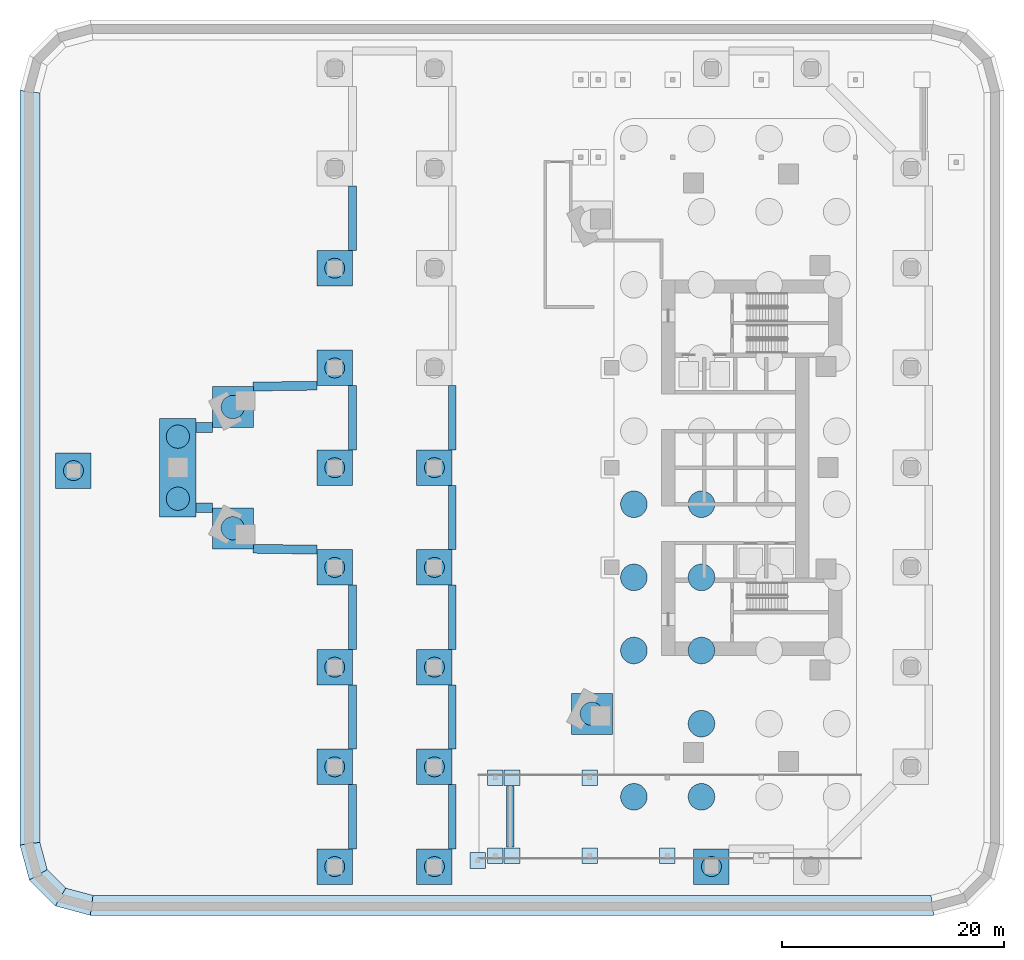
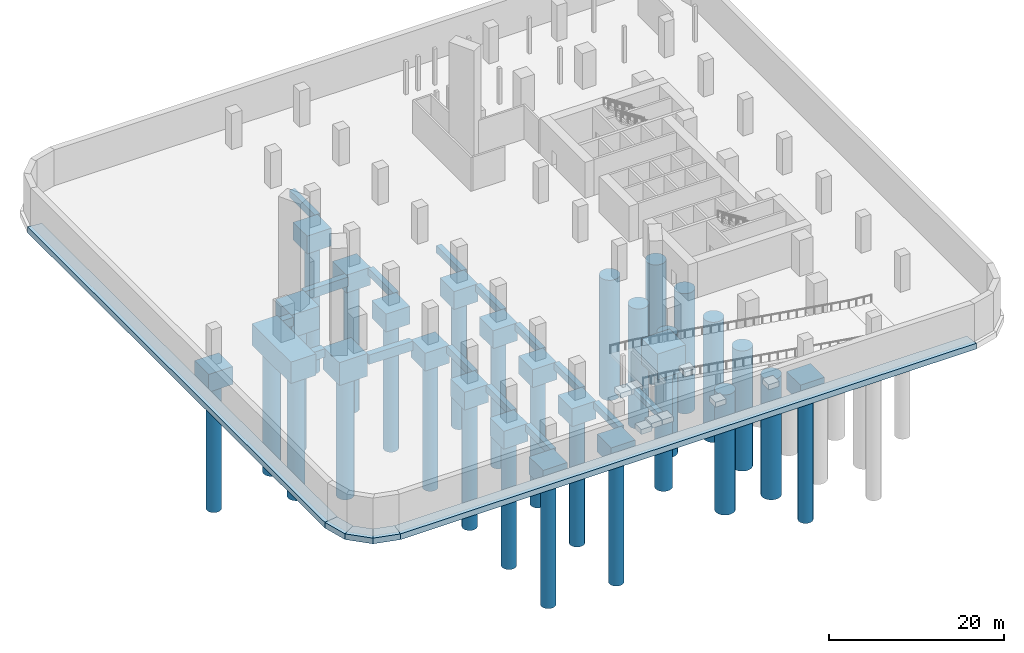
# One storey, part 1 of 11: 46 footings, 28 piles.
"""IFC4 building model written with IfcOpenShell, lengths in metres."""

from ifc_helpers import new_model, si_unit, direction, frame, origin, origin_2d, place, context, subcontext, project, spatial, polyline, circle, outline, extrude, material, layer, layer_set, type_object, element, save


model = new_model("IFC4")

# Units and contexts
model_context = context("Model", 3, precision=1e-05, world=origin(), true_north=direction((0.0, 1.0)))
body_context = subcontext(model_context, "Body", "Model", "MODEL_VIEW")
ifc_project = project(units=[si_unit("LENGTHUNIT", "METRE"), si_unit("AREAUNIT", "SQUARE_METRE"), si_unit("VOLUMEUNIT", "CUBIC_METRE"), si_unit("PLANEANGLEUNIT", "RADIAN"), si_unit("MASSUNIT", "GRAM", prefix="KILO")], contexts=[model_context])

# Site, building, storey
site_placement = place(None, origin())
site = spatial("IfcSite", under=ifc_project, at=site_placement, CompositionType="ELEMENT")
building_placement = place(site_placement, origin())
building = spatial("IfcBuilding", under=site, at=building_placement, Name="Ostrand Prow Hotel Tower", CompositionType="ELEMENT")
storey_placement = place(building_placement, frame((0.0, 0.0, -10.0)))
storey = spatial("IfcBuildingStorey", under=building, at=storey_placement, Name="B2", CompositionType="ELEMENT", Elevation=-10.0)

# Piles
ifc_material_1 = material(Name="Concrete C50/60", Category="concrete")
pile_type_1 = type_object("IfcPileType", Name="Bored caisson D1800", PredefinedType="BORED", material=ifc_material_1)
for number, where, z_axis, x_axis, name in (
    (1, (20.0, 0.0, -2.699951171875), (0.0, 0.0, -1.0), (1.0, 0.0, 0.0), "Caisson 005"),
    (2, (20.0, 18.0, -2.699951171875), (0.0, 0.0, -1.0), (1.0, 0.0, 0.0), "Caisson 006"),
    (3, (20.0, 9.0, -2.699951171875), (0.0, 0.0, -1.0), (1.0, 0.0, 0.0), "Caisson 009"),
    (4, (20.0, -18.0, -2.699951171875), (0.0, 0.0, -1.0), (1.0, 0.0, 0.0), "Caisson 010"),
    (5, (20.0, -27.0, -2.699951171875), (0.0, 0.0, -1.0), (1.0, 0.0, 0.0), "Caisson 011"),
    (6, (20.0, -36.0, -2.699951171875), (0.0, 0.0, -1.0), (1.0, 0.0, 0.0), "Caisson 012"),
    (7, (20.0, -9.0, -2.699951171875), (0.0, 0.0, -1.0), (1.0, 0.0, 0.0), "Caisson 013"),
    (8, (29.0, 0.0, -2.699951171875), (0.0, 0.0, -1.0), (1.0, 0.0, 0.0), "Caisson 014"),
    (9, (29.0, -18.0, -2.699951171875), (0.0, 0.0, -1.0), (1.0, 0.0, 0.0), "Caisson 019"),
    (10, (29.0, -27.0, -2.699951171875), (0.0, 0.0, -1.0), (1.0, 0.0, 0.0), "Caisson 020"),
    (11, (29.0, -36.0, -2.699951171875), (0.0, 0.0, -1.0), (1.0, 0.0, 0.0), "Caisson 021"),
    (12, (29.0, -9.0, -2.699951171875), (0.0, 0.0, -1.0), (1.0, 0.0, 0.0), "Caisson 022"),
    (13, (54.0, -36.0, -2.699951171875), (0.0, 0.0, -1.0), (1.0, 0.0, 0.0), "Caisson 024"),
    (14, (-3.573974609375, -0.262939453125, -2.699951171875), (0.0, 0.0, -1.0), (1.0, 0.0, 0.0), "Caisson 034"),
):
    element("IfcPile", number, at=place(storey_placement, frame(where, z_axis=z_axis, x_axis=x_axis)), inside=storey, type_object=pile_type_1, Name=name, PredefinedType="BORED", context=body_context, shape_type="SweptSolid", body=[
        extrude(circle(Radius=0.89990234375, at=origin_2d()), origin(), (0.0, 0.0, 1.0), 17.800048828125),
    ])
ifc_material_2 = material(Name="Concrete C50/60", Category="concrete")
pile_type_2 = type_object("IfcPileType", Name="Bored caisson D2100", PredefinedType="BORED", material=ifc_material_2)
pile_1_placement = place(storey_placement, frame((10.800048828125, 5.467041015625, -3.39990234375), z_axis=(0.0, 0.0, -1.0), x_axis=(1.0, 0.0, 0.0)))
element("IfcPile", 15, at=pile_1_placement, inside=storey, type_object=pile_type_2, Name="Caisson 002", PredefinedType="BORED", context=body_context, shape_type="SweptSolid", body=[
    extrude(circle(Radius=1.050048828125, at=origin_2d()), origin(), (0.0, 0.0, 1.0), 17.10009765625),
])
pile_2_placement = place(storey_placement, frame((43.199951171875, -22.208984375, -3.800048828125), z_axis=(0.0, 0.0, -1.0), x_axis=(1.0, 0.0, 0.0)))
element("IfcPile", 16, at=pile_2_placement, inside=storey, type_object=pile_type_2, Name="Caisson 003", PredefinedType="BORED", context=body_context, shape_type="SweptSolid", body=[
    extrude(circle(Radius=1.050048828125, at=origin_2d()), origin(), (0.0, 0.0, 1.0), 16.699951171875),
])
pile_3_placement = place(storey_placement, frame((10.800048828125, -5.467041015625, -3.39990234375), z_axis=(0.0, 0.0, -1.0), x_axis=(1.0, 0.0, 0.0)))
element("IfcPile", 17, at=pile_3_placement, inside=storey, type_object=pile_type_2, Name="Caisson 004", PredefinedType="BORED", context=body_context, shape_type="SweptSolid", body=[
    extrude(circle(Radius=1.050048828125, at=origin_2d()), origin(), (0.0, 0.0, 1.0), 17.10009765625),
])
for number, where, z_axis, x_axis, name in (
    (18, (5.847900390625, -2.800048828125, -3.199951171875), (0.0, 0.0, -1.0), (1.0, 0.0, 0.0), "Caisson 035"),
    (19, (5.847900390625, 2.800048828125, -3.199951171875), (0.0, 0.0, -1.0), (1.0, 0.0, 0.0), "Caisson 036"),
):
    element("IfcPile", number, at=place(storey_placement, frame(where, z_axis=z_axis, x_axis=x_axis)), inside=storey, type_object=pile_type_2, Name=name, PredefinedType="BORED", context=body_context, shape_type="SweptSolid", body=[
        extrude(circle(Radius=1.050048828125, at=origin_2d()), origin(), (0.0, 0.0, 1.0), 17.300048828125),
    ])
ifc_material_3 = material(Name="Concrete C50/60", Category="concrete")
pile_type_3 = type_object("IfcPileType", Name="Bored caisson D2400", PredefinedType="BORED", material=ifc_material_3)
for number, where, z_axis, x_axis, name in (
    (20, (47.0, -29.699951171875, -3.699951171875), (0.0, 0.0, -1.0), (1.0, 0.0, 0.0), "Caisson 037"),
    (21, (47.0, -16.5, -3.699951171875), (0.0, 0.0, -1.0), (1.0, 0.0, 0.0), "Caisson 038"),
    (22, (47.0, -9.89990234375, -3.699951171875), (0.0, 0.0, -1.0), (1.0, 0.0, 0.0), "Caisson 039"),
    (23, (47.0, -3.300048828125, -3.699951171875), (0.0, 0.0, -1.0), (1.0, 0.0, 0.0), "Caisson 040"),
    (24, (53.10009765625, -29.699951171875, -3.699951171875), (0.0, 0.0, -1.0), (1.0, 0.0, 0.0), "Caisson 045"),
    (25, (53.10009765625, -23.10009765625, -3.699951171875), (0.0, 0.0, -1.0), (1.0, 0.0, 0.0), "Caisson 046"),
    (26, (53.10009765625, -16.5, -3.699951171875), (0.0, 0.0, -1.0), (1.0, 0.0, 0.0), "Caisson 047"),
    (27, (53.10009765625, -9.89990234375, -3.699951171875), (0.0, 0.0, -1.0), (1.0, 0.0, 0.0), "Caisson 048"),
    (28, (53.10009765625, -3.300048828125, -3.699951171875), (0.0, 0.0, -1.0), (1.0, 0.0, 0.0), "Caisson 049"),
):
    element("IfcPile", number, at=place(storey_placement, frame(where, z_axis=z_axis, x_axis=x_axis)), inside=storey, type_object=pile_type_3, Name=name, PredefinedType="BORED", context=body_context, shape_type="SweptSolid", body=[
        extrude(circle(Radius=1.199951171875, at=origin_2d()), origin(), (0.0, 0.0, 1.0), 16.800048828125),
    ])

# Footings
ifc_material_4 = material(Name="Concrete C40/50", Category="concrete")
footing_type_1 = type_object("IfcFootingType", Name="Ground tie beam 700x1000 C40/50", PredefinedType="FOOTING_BEAM", material=ifc_material_4)
footing_1_placement = place(storey_placement, frame((0.0, 0.0, -1.300048828125)))
element("IfcFooting", 29, at=footing_1_placement, inside=storey, type_object=footing_type_1, Name="Ground tie beam 05", PredefinedType="FOOTING_BEAM", context=body_context, shape_type="SweptSolid", body=[
    extrude(outline(polyline([(21.25, 7.39990234375), (21.949951171875, 7.39990234375), (21.949951171875, 1.60009765625), (21.25, 1.60009765625), (21.25, 7.39990234375)])), origin(), (0.0, 0.0, 1.0), 1.0),
])
footing_2_placement = place(storey_placement, frame((0.0, 0.0, -1.300048828125)))
element("IfcFooting", 30, at=footing_2_placement, inside=storey, type_object=footing_type_1, Name="Ground tie beam 06", PredefinedType="FOOTING_BEAM", context=body_context, shape_type="SweptSolid", body=[
    extrude(outline(polyline([(21.25, 25.39990234375), (21.949951171875, 25.39990234375), (21.949951171875, 19.60009765625), (21.25, 19.60009765625), (21.25, 25.39990234375)])), origin(), (0.0, 0.0, 1.0), 1.0),
])
footing_3_placement = place(storey_placement, frame((0.0, 0.0, -1.300048828125)))
element("IfcFooting", 31, at=footing_3_placement, inside=storey, type_object=footing_type_1, Name="Ground tie beam 09", PredefinedType="FOOTING_BEAM", context=body_context, shape_type="SweptSolid", body=[
    extrude(outline(polyline([(21.25, -10.60009765625), (21.949951171875, -10.60009765625), (21.949951171875, -16.39990234375), (21.25, -16.39990234375), (21.25, -10.60009765625)])), origin(), (0.0, 0.0, 1.0), 1.0),
])
footing_4_placement = place(storey_placement, frame((0.0, 0.0, -1.300048828125)))
element("IfcFooting", 32, at=footing_4_placement, inside=storey, type_object=footing_type_1, Name="Ground tie beam 10", PredefinedType="FOOTING_BEAM", context=body_context, shape_type="SweptSolid", body=[
    extrude(outline(polyline([(21.25, -19.60009765625), (21.949951171875, -19.60009765625), (21.949951171875, -25.39990234375), (21.25, -25.39990234375), (21.25, -19.60009765625)])), origin(), (0.0, 0.0, 1.0), 1.0),
])
footing_5_placement = place(storey_placement, frame((0.0, 0.0, -1.300048828125)))
element("IfcFooting", 33, at=footing_5_placement, inside=storey, type_object=footing_type_1, Name="Ground tie beam 11", PredefinedType="FOOTING_BEAM", context=body_context, shape_type="SweptSolid", body=[
    extrude(outline(polyline([(21.25, -28.60009765625), (21.949951171875, -28.60009765625), (21.949951171875, -34.39990234375), (21.25, -34.39990234375), (21.25, -28.60009765625)])), origin(), (0.0, 0.0, 1.0), 1.0),
])
footing_6_placement = place(storey_placement, frame((0.0, 0.0, -1.300048828125)))
element("IfcFooting", 34, at=footing_6_placement, inside=storey, type_object=footing_type_1, Name="Ground tie beam 12", PredefinedType="FOOTING_BEAM", context=body_context, shape_type="SweptSolid", body=[
    extrude(outline(polyline([(30.25, 7.39990234375), (30.949951171875, 7.39990234375), (30.949951171875, 1.60009765625), (30.25, 1.60009765625), (30.25, 7.39990234375)])), origin(), (0.0, 0.0, 1.0), 1.0),
])
footing_7_placement = place(storey_placement, frame((0.0, 0.0, -1.300048828125)))
element("IfcFooting", 35, at=footing_7_placement, inside=storey, type_object=footing_type_1, Name="Ground tie beam 16", PredefinedType="FOOTING_BEAM", context=body_context, shape_type="SweptSolid", body=[
    extrude(outline(polyline([(30.25, -10.60009765625), (30.949951171875, -10.60009765625), (30.949951171875, -16.39990234375), (30.25, -16.39990234375), (30.25, -10.60009765625)])), origin(), (0.0, 0.0, 1.0), 1.0),
])
footing_8_placement = place(storey_placement, frame((0.0, 0.0, -1.300048828125)))
element("IfcFooting", 36, at=footing_8_placement, inside=storey, type_object=footing_type_1, Name="Ground tie beam 17", PredefinedType="FOOTING_BEAM", context=body_context, shape_type="SweptSolid", body=[
    extrude(outline(polyline([(30.25, -19.60009765625), (30.949951171875, -19.60009765625), (30.949951171875, -25.39990234375), (30.25, -25.39990234375), (30.25, -19.60009765625)])), origin(), (0.0, 0.0, 1.0), 1.0),
])
footing_9_placement = place(storey_placement, frame((0.0, 0.0, -1.300048828125)))
element("IfcFooting", 37, at=footing_9_placement, inside=storey, type_object=footing_type_1, Name="Ground tie beam 18", PredefinedType="FOOTING_BEAM", context=body_context, shape_type="SweptSolid", body=[
    extrude(outline(polyline([(30.25, -28.60009765625), (30.949951171875, -28.60009765625), (30.949951171875, -34.39990234375), (30.25, -34.39990234375), (30.25, -28.60009765625)])), origin(), (0.0, 0.0, 1.0), 1.0),
])
footing_10_placement = place(storey_placement, frame((0.0, 0.0, -1.300048828125)))
element("IfcFooting", 38, at=footing_10_placement, inside=storey, type_object=footing_type_1, Name="Ground tie beam 19", PredefinedType="FOOTING_BEAM", context=body_context, shape_type="SweptSolid", body=[
    extrude(outline(polyline([(30.25, -1.60009765625), (30.949951171875, -1.60009765625), (30.949951171875, -7.39990234375), (30.25, -7.39990234375), (30.25, -1.60009765625)])), origin(), (0.0, 0.0, 1.0), 1.0),
])
ifc_material_5 = material(Name="Concrete C40/50", Category="concrete")
footing_type_2 = type_object("IfcFootingType", Name="Ground tie beam 800x1300 C40/50", PredefinedType="FOOTING_BEAM", material=ifc_material_5)
footing_11_placement = place(storey_placement, frame((0.0, 0.0, -1.60009765625)))
element("IfcFooting", 39, at=footing_11_placement, inside=storey, type_object=footing_type_2, Name="Ground tie beam 03", PredefinedType="FOOTING_BEAM", context=body_context, shape_type="SweptSolid", body=[
    extrude(outline(polyline([(18.394287109375, 7.800048828125), (18.40576171875, 7.0), (12.65576171875, 6.917236328125), (12.644287109375, 7.71728515625), (18.394287109375, 7.800048828125)])), origin(), (0.0, 0.0, 1.0), 1.300048828125),
])
footing_12_placement = place(storey_placement, frame((0.0, 0.0, -1.60009765625)))
element("IfcFooting", 40, at=footing_12_placement, inside=storey, type_object=footing_type_2, Name="Ground tie beam 04", PredefinedType="FOOTING_BEAM", context=body_context, shape_type="SweptSolid", body=[
    extrude(outline(polyline([(18.40576171875, -7.0), (18.394287109375, -7.800048828125), (12.644287109375, -7.71728515625), (12.65576171875, -6.917236328125), (18.40576171875, -7.0)])), origin(), (0.0, 0.0, 1.0), 1.300048828125),
])
ifc_material_6 = material(Name="Concrete C40/50", Category="concrete")
footing_type_3 = type_object("IfcFootingType", Name="Ground tie beam 900x1200 C40/50", PredefinedType="FOOTING_BEAM", material=ifc_material_6)
footing_13_placement = place(storey_placement, frame((0.0, 0.0, -1.5)))
element("IfcFooting", 41, at=footing_13_placement, inside=storey, type_object=footing_type_3, Name="Ground tie beam 01", PredefinedType="FOOTING_BEAM", context=body_context, shape_type="SweptSolid", body=[
    extrude(outline(polyline([(8.949951171875, 4.0673828125), (8.949951171875, 3.167236328125), (7.49853515625, 3.167236328125), (7.49853515625, 4.0673828125), (8.949951171875, 4.0673828125)])), origin(), (0.0, 0.0, 1.0), 1.199951171875),
])
footing_14_placement = place(storey_placement, frame((0.0, 0.0, -1.5)))
element("IfcFooting", 42, at=footing_14_placement, inside=storey, type_object=footing_type_3, Name="Ground tie beam 02", PredefinedType="FOOTING_BEAM", context=body_context, shape_type="SweptSolid", body=[
    extrude(outline(polyline([(8.949951171875, -3.167236328125), (8.949951171875, -4.0673828125), (7.49853515625, -4.0673828125), (7.49853515625, -3.167236328125), (8.949951171875, -3.167236328125)])), origin(), (0.0, 0.0, 1.0), 1.199951171875),
])
ifc_material_7 = material(Name="Concrete C40/50", Category="concrete")
ifc_layer_1 = layer(ifc_material_7, 0.699951171875)
ifc_layer_set_1 = layer_set([ifc_layer_1], Name="Concrete C40/50")
footing_type_4 = type_object("IfcFootingType", Name="Pad footing 1400x1400 C40/50", PredefinedType="PAD_FOOTING", material=ifc_layer_set_1)
footing_15_placement = place(storey_placement, frame((0.0, 0.0, -1.0)))
element("IfcFooting", 43, at=footing_15_placement, inside=storey, type_object=footing_type_4, Name="Ramp support pad footing", PredefinedType="PAD_FOOTING", context=body_context, shape_type="SweptSolid", body=[
    extrude(outline(polyline([(33.800048828125, -35.699951171875), (35.199951171875, -35.699951171875), (35.199951171875, -34.300048828125), (33.800048828125, -34.300048828125), (33.800048828125, -35.699951171875)])), origin(), (0.0, 0.0, 1.0), 0.699951171875),
])
footing_16_placement = place(storey_placement, frame((0.0, 0.0, -1.0)))
element("IfcFooting", 44, at=footing_16_placement, inside=storey, type_object=footing_type_4, Name="Ramp support pad footing", PredefinedType="PAD_FOOTING", context=body_context, shape_type="SweptSolid", body=[
    extrude(outline(polyline([(33.800048828125, -28.699951171875), (35.199951171875, -28.699951171875), (35.199951171875, -27.300048828125), (33.800048828125, -27.300048828125), (33.800048828125, -28.699951171875)])), origin(), (0.0, 0.0, 1.0), 0.699951171875),
])
footing_17_placement = place(storey_placement, frame((0.0, 0.0, -1.0)))
element("IfcFooting", 45, at=footing_17_placement, inside=storey, type_object=footing_type_4, Name="Ramp support pad footing", PredefinedType="PAD_FOOTING", context=body_context, shape_type="SweptSolid", body=[
    extrude(outline(polyline([(35.300048828125, -35.699951171875), (36.699951171875, -35.699951171875), (36.699951171875, -34.300048828125), (35.300048828125, -34.300048828125), (35.300048828125, -35.699951171875)])), origin(), (0.0, 0.0, 1.0), 0.699951171875),
])
footing_18_placement = place(storey_placement, frame((0.0, 0.0, -1.0)))
element("IfcFooting", 46, at=footing_18_placement, inside=storey, type_object=footing_type_4, Name="Ramp support pad footing", PredefinedType="PAD_FOOTING", context=body_context, shape_type="SweptSolid", body=[
    extrude(outline(polyline([(35.300048828125, -28.699951171875), (36.699951171875, -28.699951171875), (36.699951171875, -27.300048828125), (35.300048828125, -27.300048828125), (35.300048828125, -28.699951171875)])), origin(), (0.0, 0.0, 1.0), 0.699951171875),
])
footing_19_placement = place(storey_placement, frame((0.0, 0.0, -1.0)))
element("IfcFooting", 47, at=footing_19_placement, inside=storey, type_object=footing_type_4, Name="Ramp support pad footing", PredefinedType="PAD_FOOTING", context=body_context, shape_type="SweptSolid", body=[
    extrude(outline(polyline([(42.300048828125, -35.699951171875), (43.699951171875, -35.699951171875), (43.699951171875, -34.300048828125), (42.300048828125, -34.300048828125), (42.300048828125, -35.699951171875)])), origin(), (0.0, 0.0, 1.0), 0.699951171875),
])
footing_20_placement = place(storey_placement, frame((0.0, 0.0, -1.0)))
element("IfcFooting", 48, at=footing_20_placement, inside=storey, type_object=footing_type_4, Name="Ramp support pad footing", PredefinedType="PAD_FOOTING", context=body_context, shape_type="SweptSolid", body=[
    extrude(outline(polyline([(42.300048828125, -28.699951171875), (43.699951171875, -28.699951171875), (43.699951171875, -27.300048828125), (42.300048828125, -27.300048828125), (42.300048828125, -28.699951171875)])), origin(), (0.0, 0.0, 1.0), 0.699951171875),
])
footing_21_placement = place(storey_placement, frame((0.0, 0.0, -1.0)))
element("IfcFooting", 49, at=footing_21_placement, inside=storey, type_object=footing_type_4, Name="Ramp support pad footing", PredefinedType="PAD_FOOTING", context=body_context, shape_type="SweptSolid", body=[
    extrude(outline(polyline([(49.300048828125, -35.699951171875), (50.699951171875, -35.699951171875), (50.699951171875, -34.300048828125), (49.300048828125, -34.300048828125), (49.300048828125, -35.699951171875)])), origin(), (0.0, 0.0, 1.0), 0.699951171875),
])
footing_22_placement = place(storey_placement, frame((0.0, 0.0, -1.0)))
element("IfcFooting", 50, at=footing_22_placement, inside=storey, type_object=footing_type_4, Name="Ramp support pad footing", PredefinedType="PAD_FOOTING", context=body_context, shape_type="SweptSolid", body=[
    extrude(outline(polyline([(33.60009765625, -36.14990234375), (33.60009765625, -34.75), (32.199951171875, -34.75), (32.199951171875, -36.14990234375), (33.60009765625, -36.14990234375)])), origin(), (0.0, 0.0, 1.0), 0.699951171875),
])
ifc_material_8 = material(Name="Concrete C50/60", Category="concrete")
ifc_layer_2 = layer(ifc_material_8, 2.5)
ifc_layer_set_2 = layer_set([ifc_layer_2], Name="Concrete C50/60")
footing_type_5 = type_object("IfcFootingType", Name="Pile cap 2500 C50/60", PredefinedType="PILE_CAP", material=ifc_layer_set_2)
footing_23_placement = place(storey_placement, frame((0.0, 0.0, -2.800048828125)))
element("IfcFooting", 51, at=footing_23_placement, inside=storey, type_object=footing_type_5, Name="Pile cap CAP-IC-W4S0", PredefinedType="PILE_CAP", context=body_context, shape_type="SweptSolid", body=[
    extrude(outline(polyline([(-1.97412109375, -1.863037109375), (-1.97412109375, 1.3369140625), (-5.174072265625, 1.3369140625), (-5.174072265625, -1.863037109375), (-1.97412109375, -1.863037109375)])), origin(), (0.0, 0.0, 1.0), 2.5),
])
footing_24_placement = place(storey_placement, frame((0.0, 0.0, -2.800048828125)))
element("IfcFooting", 52, at=footing_24_placement, inside=storey, type_object=footing_type_5, Name="Pile cap CAP-IC-20S36", PredefinedType="PILE_CAP", context=body_context, shape_type="SweptSolid", body=[
    extrude(outline(polyline([(21.60009765625, -37.60009765625), (21.60009765625, -34.39990234375), (18.39990234375, -34.39990234375), (18.39990234375, -37.60009765625), (21.60009765625, -37.60009765625)])), origin(), (0.0, 0.0, 1.0), 2.5),
])
footing_25_placement = place(storey_placement, frame((0.0, 0.0, -2.800048828125)))
element("IfcFooting", 53, at=footing_25_placement, inside=storey, type_object=footing_type_5, Name="Pile cap CAP-IC-20S27", PredefinedType="PILE_CAP", context=body_context, shape_type="SweptSolid", body=[
    extrude(outline(polyline([(21.60009765625, -28.60009765625), (21.60009765625, -25.39990234375), (18.39990234375, -25.39990234375), (18.39990234375, -28.60009765625), (21.60009765625, -28.60009765625)])), origin(), (0.0, 0.0, 1.0), 2.5),
])
footing_26_placement = place(storey_placement, frame((0.0, 0.0, -2.800048828125)))
element("IfcFooting", 54, at=footing_26_placement, inside=storey, type_object=footing_type_5, Name="Pile cap CAP-IC-20S18", PredefinedType="PILE_CAP", context=body_context, shape_type="SweptSolid", body=[
    extrude(outline(polyline([(21.60009765625, -19.60009765625), (21.60009765625, -16.39990234375), (18.39990234375, -16.39990234375), (18.39990234375, -19.60009765625), (21.60009765625, -19.60009765625)])), origin(), (0.0, 0.0, 1.0), 2.5),
])
footing_27_placement = place(storey_placement, frame((0.0, 0.0, -2.800048828125)))
element("IfcFooting", 55, at=footing_27_placement, inside=storey, type_object=footing_type_5, Name="Pile cap CAP-IC-20N18", PredefinedType="PILE_CAP", context=body_context, shape_type="SweptSolid", body=[
    extrude(outline(polyline([(21.60009765625, 16.39990234375), (21.60009765625, 19.60009765625), (18.39990234375, 19.60009765625), (18.39990234375, 16.39990234375), (21.60009765625, 16.39990234375)])), origin(), (0.0, 0.0, 1.0), 2.5),
])
footing_28_placement = place(storey_placement, frame((0.0, 0.0, -2.800048828125)))
element("IfcFooting", 56, at=footing_28_placement, inside=storey, type_object=footing_type_5, Name="Pile cap CAP-IC-20S9", PredefinedType="PILE_CAP", context=body_context, shape_type="SweptSolid", body=[
    extrude(outline(polyline([(21.60009765625, -10.60009765625), (21.60009765625, -7.39990234375), (18.39990234375, -7.39990234375), (18.39990234375, -10.60009765625), (21.60009765625, -10.60009765625)])), origin(), (0.0, 0.0, 1.0), 2.5),
])
footing_29_placement = place(storey_placement, frame((0.0, 0.0, -2.800048828125)))
element("IfcFooting", 57, at=footing_29_placement, inside=storey, type_object=footing_type_5, Name="Pile cap CAP-IC-20C0", PredefinedType="PILE_CAP", context=body_context, shape_type="SweptSolid", body=[
    extrude(outline(polyline([(21.60009765625, -1.60009765625), (21.60009765625, 1.60009765625), (18.39990234375, 1.60009765625), (18.39990234375, -1.60009765625), (21.60009765625, -1.60009765625)])), origin(), (0.0, 0.0, 1.0), 2.5),
])
footing_30_placement = place(storey_placement, frame((0.0, 0.0, -2.800048828125)))
element("IfcFooting", 58, at=footing_30_placement, inside=storey, type_object=footing_type_5, Name="Pile cap CAP-IC-20N9", PredefinedType="PILE_CAP", context=body_context, shape_type="SweptSolid", body=[
    extrude(outline(polyline([(21.60009765625, 7.39990234375), (21.60009765625, 10.60009765625), (18.39990234375, 10.60009765625), (18.39990234375, 7.39990234375), (21.60009765625, 7.39990234375)])), origin(), (0.0, 0.0, 1.0), 2.5),
])
footing_31_placement = place(storey_placement, frame((0.0, 0.0, -2.800048828125)))
element("IfcFooting", 59, at=footing_31_placement, inside=storey, type_object=footing_type_5, Name="Pile cap CAP-IC-29S36", PredefinedType="PILE_CAP", context=body_context, shape_type="SweptSolid", body=[
    extrude(outline(polyline([(30.60009765625, -37.60009765625), (30.60009765625, -34.39990234375), (27.39990234375, -34.39990234375), (27.39990234375, -37.60009765625), (30.60009765625, -37.60009765625)])), origin(), (0.0, 0.0, 1.0), 2.5),
])
footing_32_placement = place(storey_placement, frame((0.0, 0.0, -2.800048828125)))
element("IfcFooting", 60, at=footing_32_placement, inside=storey, type_object=footing_type_5, Name="Pile cap CAP-IC-29S27", PredefinedType="PILE_CAP", context=body_context, shape_type="SweptSolid", body=[
    extrude(outline(polyline([(30.60009765625, -28.60009765625), (30.60009765625, -25.39990234375), (27.39990234375, -25.39990234375), (27.39990234375, -28.60009765625), (30.60009765625, -28.60009765625)])), origin(), (0.0, 0.0, 1.0), 2.5),
])
footing_33_placement = place(storey_placement, frame((0.0, 0.0, -2.800048828125)))
element("IfcFooting", 61, at=footing_33_placement, inside=storey, type_object=footing_type_5, Name="Pile cap CAP-IC-29S18", PredefinedType="PILE_CAP", context=body_context, shape_type="SweptSolid", body=[
    extrude(outline(polyline([(30.60009765625, -19.60009765625), (30.60009765625, -16.39990234375), (27.39990234375, -16.39990234375), (27.39990234375, -19.60009765625), (30.60009765625, -19.60009765625)])), origin(), (0.0, 0.0, 1.0), 2.5),
])
footing_34_placement = place(storey_placement, frame((0.0, 0.0, -2.800048828125)))
element("IfcFooting", 62, at=footing_34_placement, inside=storey, type_object=footing_type_5, Name="Pile cap CAP-IC-29S9", PredefinedType="PILE_CAP", context=body_context, shape_type="SweptSolid", body=[
    extrude(outline(polyline([(30.60009765625, -10.60009765625), (30.60009765625, -7.39990234375), (27.39990234375, -7.39990234375), (27.39990234375, -10.60009765625), (30.60009765625, -10.60009765625)])), origin(), (0.0, 0.0, 1.0), 2.5),
])
footing_35_placement = place(storey_placement, frame((0.0, 0.0, -2.800048828125)))
element("IfcFooting", 63, at=footing_35_placement, inside=storey, type_object=footing_type_5, Name="Pile cap CAP-IC-29C0", PredefinedType="PILE_CAP", context=body_context, shape_type="SweptSolid", body=[
    extrude(outline(polyline([(30.60009765625, -1.60009765625), (30.60009765625, 1.60009765625), (27.39990234375, 1.60009765625), (27.39990234375, -1.60009765625), (30.60009765625, -1.60009765625)])), origin(), (0.0, 0.0, 1.0), 2.5),
])
footing_36_placement = place(storey_placement, frame((0.0, 0.0, -2.800048828125)))
element("IfcFooting", 64, at=footing_36_placement, inside=storey, type_object=footing_type_5, Name="Pile cap CAP-IC-54S36", PredefinedType="PILE_CAP", context=body_context, shape_type="SweptSolid", body=[
    extrude(outline(polyline([(55.60009765625, -37.60009765625), (55.60009765625, -34.39990234375), (52.39990234375, -34.39990234375), (52.39990234375, -37.60009765625), (55.60009765625, -37.60009765625)])), origin(), (0.0, 0.0, 1.0), 2.5),
])
ifc_material_9 = material(Name="Concrete C50/60", Category="concrete")
ifc_layer_3 = layer(ifc_material_9, 3.0)
ifc_layer_set_3 = layer_set([ifc_layer_3], Name="Concrete C50/60")
footing_type_6 = type_object("IfcFootingType", Name="Pile cap 3000 C50/60", PredefinedType="PILE_CAP", material=ifc_layer_set_3)
footing_37_placement = place(storey_placement, frame((0.0, 0.0, -3.300048828125)))
element("IfcFooting", 65, at=footing_37_placement, inside=storey, type_object=footing_type_6, Name="Pile cap CAP-MC-P", PredefinedType="PILE_CAP", context=body_context, shape_type="SweptSolid", body=[
    extrude(outline(polyline([(7.49853515625, -4.449951171875), (7.49853515625, 4.449951171875), (4.198486328125, 4.449951171875), (4.198486328125, -4.449951171875), (7.49853515625, -4.449951171875)])), origin(), (0.0, 0.0, 1.0), 3.0),
])
ifc_material_10 = material(Name="Concrete C50/60", Category="concrete")
ifc_layer_4 = layer(ifc_material_10, 3.199951171875)
ifc_layer_set_4 = layer_set([ifc_layer_4], Name="Concrete C50/60")
footing_type_7 = type_object("IfcFootingType", Name="Pile cap 3200 C50/60", PredefinedType="PILE_CAP", material=ifc_layer_set_4)
footing_38_placement = place(storey_placement, frame((0.0, 0.0, -3.5)))
element("IfcFooting", 66, at=footing_38_placement, inside=storey, type_object=footing_type_7, Name="Pile cap CAP-AP-SW", PredefinedType="PILE_CAP", context=body_context, shape_type="SweptSolid", body=[
    extrude(outline(polyline([(12.64990234375, -7.3173828125), (12.64990234375, -3.6171875), (8.949951171875, -3.6171875), (8.949951171875, -7.3173828125), (12.64990234375, -7.3173828125)])), origin(), (0.0, 0.0, 1.0), 3.199951171875),
])
footing_39_placement = place(storey_placement, frame((0.0, 0.0, -3.5)))
element("IfcFooting", 67, at=footing_39_placement, inside=storey, type_object=footing_type_7, Name="Pile cap CAP-AP-NW", PredefinedType="PILE_CAP", context=body_context, shape_type="SweptSolid", body=[
    extrude(outline(polyline([(12.64990234375, 3.6171875), (12.64990234375, 7.3173828125), (8.949951171875, 7.3173828125), (8.949951171875, 3.6171875), (12.64990234375, 3.6171875)])), origin(), (0.0, 0.0, 1.0), 3.199951171875),
])
ifc_material_11 = material(Name="Concrete C50/60", Category="concrete")
ifc_layer_5 = layer(ifc_material_11, 3.60009765625)
ifc_layer_set_5 = layer_set([ifc_layer_5], Name="Concrete C50/60")
footing_type_8 = type_object("IfcFootingType", Name="Pile cap 3600 C50/60", PredefinedType="PILE_CAP", material=ifc_layer_set_5)
footing_40_placement = place(storey_placement, frame((0.0, 0.0, -3.89990234375)))
element("IfcFooting", 68, at=footing_40_placement, inside=storey, type_object=footing_type_8, Name="Pile cap CAP-AP-SE", PredefinedType="PILE_CAP", context=body_context, shape_type="SweptSolid", body=[
    extrude(outline(polyline([(45.050048828125, -24.0595703125), (45.050048828125, -20.359619140625), (41.35009765625, -20.359619140625), (41.35009765625, -24.0595703125), (45.050048828125, -24.0595703125)])), origin(), (0.0, 0.0, 1.0), 3.599853515625),
])
ifc_material_12 = material(Name="Concrete C40/50", Category="concrete")
ifc_layer_6 = layer(ifc_material_12, 0.699951171875)
ifc_layer_set_6 = layer_set([ifc_layer_6], Name="Concrete C40/50")
footing_type_9 = type_object("IfcFootingType", Name="Strip footing 700 C40/50", PredefinedType="STRIP_FOOTING", material=ifc_layer_set_6)
footing_41_placement = place(storey_placement, frame((0.0, 0.0, -1.0)))
element("IfcFooting", 69, at=footing_41_placement, inside=storey, type_object=footing_type_9, Name="Ramp support wall footing", PredefinedType="STRIP_FOOTING", context=body_context, shape_type="SweptSolid", body=[
    extrude(outline(polyline([(35.5, -34.25), (36.199951171875, -34.25), (36.199951171875, -28.75), (35.5, -28.75), (35.5, -34.25)])), origin(), (0.0, 0.0, 1.0), 0.699951171875),
])
ifc_material_13 = material(Name="Concrete C40/50", Category="concrete")
ifc_layer_7 = layer(ifc_material_13, 0.800048828125)
ifc_layer_set_7 = layer_set([ifc_layer_7], Name="Concrete C40/50")
footing_type_10 = type_object("IfcFootingType", Name="Strip footing 800 C40/50", PredefinedType="STRIP_FOOTING", material=ifc_layer_set_7)
footing_42_placement = place(storey_placement, frame((0.0, 0.0, -1.10009765625)))
element("IfcFooting", 70, at=footing_42_placement, inside=storey, type_object=footing_type_10, Name="Strip footing 01 under retaining walls", PredefinedType="STRIP_FOOTING", context=body_context, shape_type="SweptSolid", body=[
    extrude(outline(polyline([(-8.393310546875, -34.0517578125), (-8.39990234375, -34.0), (-8.39990234375, 34.0), (-8.393310546875, 34.0517578125), (-6.60009765625, 33.815673828125), (-6.60009765625, -33.815673828125), (-8.393310546875, -34.0517578125)])), origin(), (0.0, 0.0, 1.0), 0.800048828125),
])
footing_43_placement = place(storey_placement, frame((0.0, 0.0, -1.10009765625)))
element("IfcFooting", 71, at=footing_43_placement, inside=storey, type_object=footing_type_10, Name="Strip footing 02 under retaining walls", PredefinedType="STRIP_FOOTING", context=body_context, shape_type="SweptSolid", body=[
    extrude(outline(polyline([(-7.541259765625, -37.19921875), (-7.55859375, -37.1689453125), (-7.58251953125, -37.103515625), (-8.386474609375, -34.103515625), (-8.393310546875, -34.0517578125), (-6.60009765625, -33.815673828125), (-5.94091796875, -36.275390625), (-5.94091796875, -36.275390625), (-7.541259765625, -37.19921875)])), origin(), (0.0, 0.0, 1.0), 0.800048828125),
])
footing_44_placement = place(storey_placement, frame((0.0, 0.0, -1.10009765625)))
element("IfcFooting", 72, at=footing_44_placement, inside=storey, type_object=footing_type_10, Name="Strip footing 03 under retaining walls", PredefinedType="STRIP_FOOTING", context=body_context, shape_type="SweptSolid", body=[
    extrude(outline(polyline([(-5.19921875, -39.541259765625), (-5.2294921875, -39.523681640625), (-5.28271484375, -39.47900390625), (-7.47900390625, -37.28271484375), (-7.523681640625, -37.2294921875), (-7.541259765625, -37.19921875), (-5.94091796875, -36.275390625), (-4.275390625, -37.94091796875), (-4.275390625, -37.94091796875), (-5.19921875, -39.541259765625)])), origin(), (0.0, 0.0, 1.0), 0.800048828125),
])
footing_45_placement = place(storey_placement, frame((0.0, 0.0, -1.10009765625)))
element("IfcFooting", 73, at=footing_45_placement, inside=storey, type_object=footing_type_10, Name="Strip footing 04 under retaining walls", PredefinedType="STRIP_FOOTING", context=body_context, shape_type="SweptSolid", body=[
    extrude(outline(polyline([(-2.0517578125, -40.393310546875), (-2.103515625, -40.386474609375), (-5.103515625, -39.58251953125), (-5.1689453125, -39.55859375), (-5.19921875, -39.541259765625), (-4.275390625, -37.94091796875), (-1.815673828125, -38.60009765625), (-2.0517578125, -40.393310546875)])), origin(), (0.0, 0.0, 1.0), 0.800048828125),
])
footing_46_placement = place(storey_placement, frame((0.0, 0.0, -1.10009765625)))
element("IfcFooting", 74, at=footing_46_placement, inside=storey, type_object=footing_type_10, Name="Strip footing 05 under retaining walls", PredefinedType="STRIP_FOOTING", context=body_context, shape_type="SweptSolid", body=[
    extrude(outline(polyline([(-2.0, -40.39990234375), (-2.0517578125, -40.393310546875), (-1.815673828125, -38.60009765625), (-1.815673828125, -38.60009765625), (73.815673828125, -38.60009765625), (73.815673828125, -38.60009765625), (74.0517578125, -40.393310546875), (74.0, -40.39990234375), (-2.0, -40.39990234375)])), origin(), (0.0, 0.0, 1.0), 0.800048828125),
])

save(model, "model.ifc")
